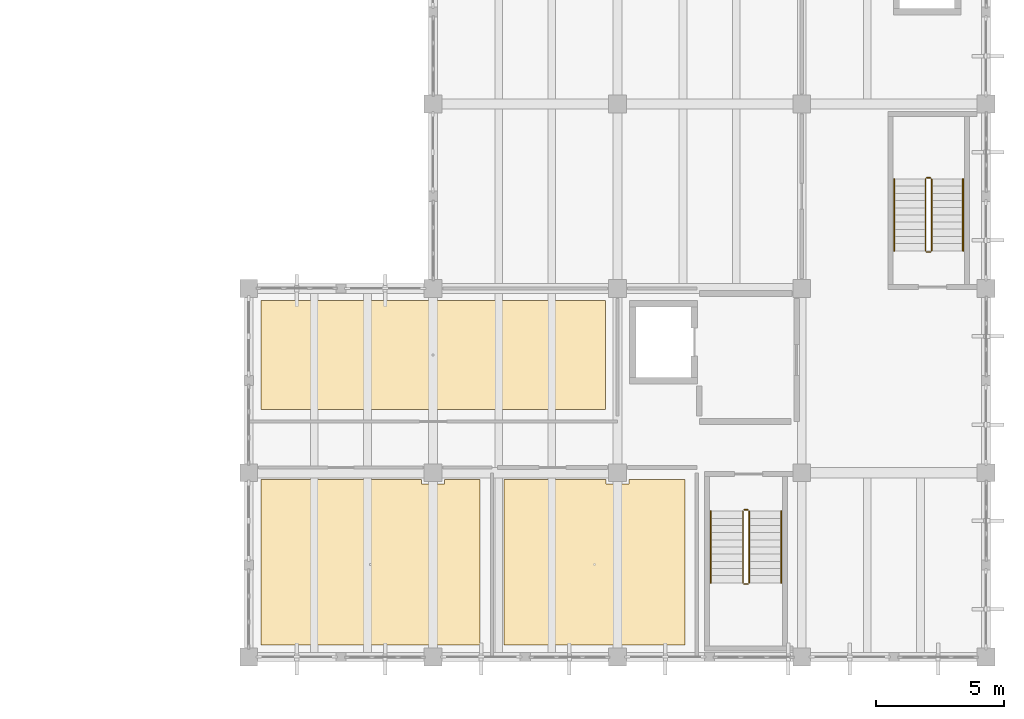
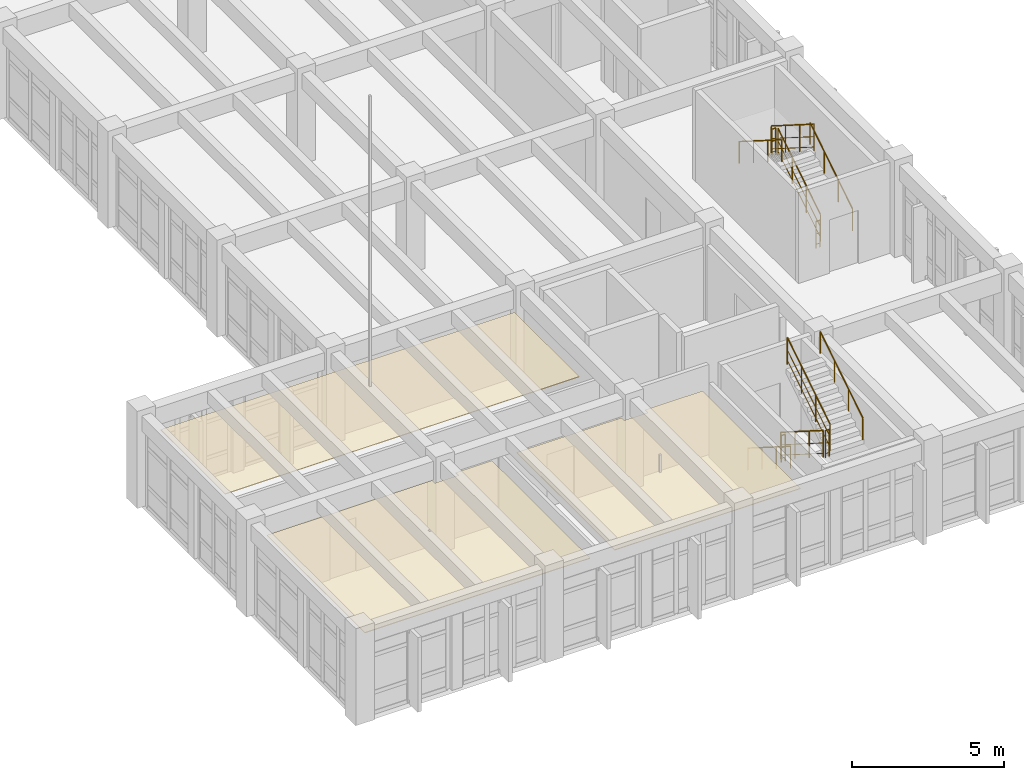
# One storey, part 53 of 54: 12 railings, 3 coverings.
"""IFC4 building model written with IfcOpenShell, lengths in metres."""

from ifc_helpers import new_model, si_unit, direction, frame, origin, origin_2d, place, context, subcontext, project, spatial, polyline, circle, outline, extrude, material, layer, layer_set, type_object, element, save


model = new_model("IFC4")

# Units and contexts
model_context = context("Model", 3, precision=1e-05, world=origin(), true_north=direction((0.0, 1.0)))
body_context = subcontext(model_context, "Body", "Model", "MODEL_VIEW")
ifc_project = project(units=[si_unit("LENGTHUNIT", "METRE"), si_unit("AREAUNIT", "SQUARE_METRE"), si_unit("VOLUMEUNIT", "CUBIC_METRE"), si_unit("PLANEANGLEUNIT", "RADIAN"), si_unit("MASSUNIT", "GRAM", prefix="KILO")], contexts=[model_context])

# Site, building, storey
site_placement = place(None, origin())
site = spatial("IfcSite", under=ifc_project, at=site_placement, CompositionType="ELEMENT")
building_placement = place(site_placement, origin())
building = spatial("IfcBuilding", under=site, at=building_placement, Name="Koriwan Promenade Central Fire Station", CompositionType="ELEMENT")
storey_placement = place(building_placement, frame((0.0, 0.0, 9.60009765625)))
storey = spatial("IfcBuildingStorey", under=building, at=storey_placement, Name="L02", CompositionType="ELEMENT", Elevation=9.60009765625)

# Coverings
ifc_material_1 = material(Name="Mineral-fibre acoustic ceiling tile on suspended grid", Category="ceiling")
ifc_layer_1 = layer(ifc_material_1, 0.02490234375, Name="Mineral-fibre acoustic ceiling tile on suspended grid")
ifc_layer_set_1 = layer_set([ifc_layer_1], Name="Mineral-fibre acoustic ceiling tile on suspended grid")
covering_type = type_object("IfcCoveringType", Name="AcousticCeiling_Tile", PredefinedType="CEILING", material=ifc_layer_set_1)
covering_1_placement = place(storey_placement, frame((0.0, 0.0, 2.93994140625)))
element("IfcCovering", 1, at=covering_1_placement, inside=storey, type_object=covering_type, Name="Operations Directorate Office suspended acoustic ceiling", PredefinedType="CEILING", context=body_context, shape_type="SweptSolid", body=[
    extrude(outline(polyline([(144.469970703125, 0.469970703125), (144.469970703125, 6.929931640625), (150.75, 6.929931640625), (150.75, 6.75), (151.64990234375, 6.75), (151.64990234375, 6.929931640625), (153.030029296875, 6.929931640625), (153.030029296875, 0.469970703125), (144.469970703125, 0.469970703125)])), origin(), (0.0, 0.0, 1.0), 0.02490234375),
])
covering_2_placement = place(storey_placement, frame((0.0, 0.0, 2.93994140625)))
element("IfcCovering", 2, at=covering_2_placement, inside=storey, type_object=covering_type, Name="Multi-Agency Coordination Briefing Room suspended acoustic ceiling", PredefinedType="CEILING", context=body_context, shape_type="SweptSolid", body=[
    extrude(outline(polyline([(158.85009765625, 6.929931640625), (161.030029296875, 6.929931640625), (161.030029296875, 0.469970703125), (153.969970703125, 0.469970703125), (153.969970703125, 6.929931640625), (157.949951171875, 6.929931640625), (157.949951171875, 6.75), (158.85009765625, 6.75), (158.85009765625, 6.929931640625)])), origin(), (0.0, 0.0, 1.0), 0.02490234375),
])
covering_3_placement = place(storey_placement, frame((0.0, 0.0, 2.93994140625)))
element("IfcCovering", 3, at=covering_3_placement, inside=storey, type_object=covering_type, Name="Disaster Simulation Studio suspended acoustic ceiling", PredefinedType="CEILING", context=body_context, shape_type="SweptSolid", body=[
    extrude(outline(polyline([(157.929931640625, 13.929931640625), (157.929931640625, 9.669921875), (144.469970703125, 9.669921875), (144.469970703125, 13.929931640625), (157.929931640625, 13.929931640625)])), origin(), (0.0, 0.0, 1.0), 0.02490234375),
])

# Railings
ifc_material_2 = material(Name="Steel ASTM A500 Grade C", Category="steel")
ifc_layer_2 = layer(ifc_material_2, 0.050048828125, Name="Steel ASTM A500 Grade C")
ifc_layer_set_2 = layer_set([ifc_layer_2], Name="Steel ASTM A500 Grade C")
railing_type_1 = type_object("IfcRailingType", Name="StairGuard_1100", PredefinedType="BALUSTRADE", material=ifc_layer_set_2)
railing_1_placement = place(storey_placement, frame((163.300048828125, 5.699951171875, 0.17724609375)))
element("IfcRailing", 4, at=railing_1_placement, inside=storey, type_object=railing_type_1, Name="L02 ST22 stair guard 1", PredefinedType="BALUSTRADE", context=body_context, shape_type="SweptSolid", body=[
    extrude(circle(Radius=0.02392578125, at=origin_2d()), frame((0.0, 0.0, 1.076171875), z_axis=(0.0, -0.844908973607, 0.534910110503), x_axis=(1.0, 0.0, 0.0)), (0.0, 0.0, 1.0), 3.31396484375),
    extrude(circle(Radius=0.012939453125, at=origin_2d()), frame((0.0, 0.0, 0.572021484375), z_axis=(0.0, -0.844908973607, 0.534910110503), x_axis=(1.0, 0.0, 0.0)), (0.0, 0.0, 1.0), 3.31396484375),
    extrude(circle(Radius=0.012939453125, at=origin_2d()), frame((0.0, 0.0, 0.154052734375), z_axis=(0.0, -0.844908973607, 0.534910110503), x_axis=(1.0, 0.0, 0.0)), (0.0, 0.0, 1.0), 3.31396484375),
    extrude(circle(Radius=0.02099609375, at=origin_2d()), origin(), (0.0, 0.0, 1.0), 1.052001953125),
    extrude(circle(Radius=0.02099609375, at=origin_2d()), frame((0.0, -0.933349609375, 0.5908203125)), (0.0, 0.0, 1.0), 1.052001953125),
    extrude(circle(Radius=0.02099609375, at=origin_2d()), frame((0.0, -1.86669921875, 1.181884765625)), (0.0, 0.0, 1.0), 1.052001953125),
    extrude(circle(Radius=0.02099609375, at=origin_2d()), frame((0.0, -2.800048828125, 1.772705078125)), (0.0, 0.0, 1.0), 1.052001953125),
])
railing_2_placement = place(storey_placement, frame((163.35009765625, 2.85009765625, 1.949951171875)))
element("IfcRailing", 5, at=railing_2_placement, inside=storey, type_object=railing_type_1, Name="L02 ST22 stair guard 2", PredefinedType="BALUSTRADE", context=body_context, shape_type="SweptSolid", body=[
    extrude(circle(Radius=0.02392578125, at=origin_2d()), frame((0.0, 0.0, 1.076171875), z_axis=(1.0, 0.0, 0.0), x_axis=(0.0, 1.0, 0.0)), (0.0, 0.0, 1.0), 0.14990234375),
    extrude(circle(Radius=0.012939453125, at=origin_2d()), frame((0.0, 0.0, 0.572021484375), z_axis=(1.0, 0.0, 0.0), x_axis=(0.0, 1.0, 0.0)), (0.0, 0.0, 1.0), 0.14990234375),
    extrude(circle(Radius=0.012939453125, at=origin_2d()), frame((0.0, 0.0, 0.154052734375), z_axis=(1.0, 0.0, 0.0), x_axis=(0.0, 1.0, 0.0)), (0.0, 0.0, 1.0), 0.14990234375),
    extrude(circle(Radius=0.02099609375, at=origin_2d()), origin(), (0.0, 0.0, 1.0), 1.052001953125),
    extrude(circle(Radius=0.02099609375, at=origin_2d()), frame((0.14990234375, 0.0, 0.0)), (0.0, 0.0, 1.0), 1.052001953125),
])
railing_3_placement = place(storey_placement, frame((163.550048828125, 2.89990234375, 2.127197265625)))
element("IfcRailing", 6, at=railing_3_placement, inside=storey, type_object=railing_type_1, Name="L02 ST22 stair guard 3", PredefinedType="BALUSTRADE", context=body_context, shape_type="SweptSolid", body=[
    extrude(circle(Radius=0.02392578125, at=origin_2d()), frame((0.0, 0.0, 1.076171875), z_axis=(0.0, 0.844908973607, 0.534910110503), x_axis=(-1.0, 0.0, 0.0)), (0.0, 0.0, 1.0), 3.31396484375),
    extrude(circle(Radius=0.012939453125, at=origin_2d()), frame((0.0, 0.0, 0.572021484375), z_axis=(0.0, 0.844908973607, 0.534910110503), x_axis=(-1.0, 0.0, 0.0)), (0.0, 0.0, 1.0), 3.31396484375),
    extrude(circle(Radius=0.012939453125, at=origin_2d()), frame((0.0, 0.0, 0.154052734375), z_axis=(0.0, 0.844908973607, 0.534910110503), x_axis=(-1.0, 0.0, 0.0)), (0.0, 0.0, 1.0), 3.31396484375),
    extrude(circle(Radius=0.02099609375, at=origin_2d()), origin(), (0.0, 0.0, 1.0), 1.052001953125),
    extrude(circle(Radius=0.02099609375, at=origin_2d()), frame((0.0, 0.933349609375, 0.5908203125)), (0.0, 0.0, 1.0), 1.052001953125),
    extrude(circle(Radius=0.02099609375, at=origin_2d()), frame((0.0, 1.86669921875, 1.181884765625)), (0.0, 0.0, 1.0), 1.052001953125),
    extrude(circle(Radius=0.02099609375, at=origin_2d()), frame((0.0, 2.800048828125, 1.772705078125)), (0.0, 0.0, 1.0), 1.052001953125),
])
railing_4_placement = place(storey_placement, frame((163.35009765625, 5.75, 0.0)))
element("IfcRailing", 7, at=railing_4_placement, inside=storey, type_object=railing_type_1, Name="L02 ST22 stair guard 4", PredefinedType="BALUSTRADE", context=body_context, shape_type="SweptSolid", body=[
    extrude(circle(Radius=0.02392578125, at=origin_2d()), frame((0.0, 0.0, 1.076171875), z_axis=(1.0, 0.0, 0.0), x_axis=(0.0, 1.0, 0.0)), (0.0, 0.0, 1.0), 0.14990234375),
    extrude(circle(Radius=0.012939453125, at=origin_2d()), frame((0.0, 0.0, 0.572021484375), z_axis=(1.0, 0.0, 0.0), x_axis=(0.0, 1.0, 0.0)), (0.0, 0.0, 1.0), 0.14990234375),
    extrude(circle(Radius=0.012939453125, at=origin_2d()), frame((0.0, 0.0, 0.154052734375), z_axis=(1.0, 0.0, 0.0), x_axis=(0.0, 1.0, 0.0)), (0.0, 0.0, 1.0), 0.14990234375),
    extrude(circle(Radius=0.02099609375, at=origin_2d()), origin(), (0.0, 0.0, 1.0), 1.052001953125),
    extrude(circle(Radius=0.02099609375, at=origin_2d()), frame((0.14990234375, 0.0, 0.0)), (0.0, 0.0, 1.0), 1.052001953125),
])
railing_5_placement = place(storey_placement, frame((170.679931640625, 15.8701171875, 0.17724609375)))
element("IfcRailing", 8, at=railing_5_placement, inside=storey, type_object=railing_type_1, Name="L02 ST27 stair guard 1", PredefinedType="BALUSTRADE", context=body_context, shape_type="SweptSolid", body=[
    extrude(circle(Radius=0.02392578125, at=origin_2d()), frame((0.0, 0.0, 1.076171875), z_axis=(0.0, 0.844887892834, 0.53494340686), x_axis=(-1.0, 0.0, 0.0)), (0.0, 0.0, 1.0), 3.313720703125),
    extrude(circle(Radius=0.012939453125, at=origin_2d()), frame((0.0, 0.0, 0.572021484375), z_axis=(0.0, 0.844887892834, 0.53494340686), x_axis=(-1.0, 0.0, 0.0)), (0.0, 0.0, 1.0), 3.313720703125),
    extrude(circle(Radius=0.012939453125, at=origin_2d()), frame((0.0, 0.0, 0.154052734375), z_axis=(0.0, 0.844887892834, 0.53494340686), x_axis=(-1.0, 0.0, 0.0)), (0.0, 0.0, 1.0), 3.313720703125),
    extrude(circle(Radius=0.02099609375, at=origin_2d()), origin(), (0.0, 0.0, 1.0), 1.052001953125),
    extrude(circle(Radius=0.02099609375, at=origin_2d()), frame((0.0, 0.933349609375, 0.5908203125)), (0.0, 0.0, 1.0), 1.052001953125),
    extrude(circle(Radius=0.02099609375, at=origin_2d()), frame((0.0, 1.866455078125, 1.181884765625)), (0.0, 0.0, 1.0), 1.052001953125),
    extrude(circle(Radius=0.02099609375, at=origin_2d()), frame((0.0, 2.7998046875, 1.772705078125)), (0.0, 0.0, 1.0), 1.052001953125),
])
railing_6_placement = place(storey_placement, frame((170.6298828125, 18.719970703125, 1.949951171875)))
element("IfcRailing", 9, at=railing_6_placement, inside=storey, type_object=railing_type_1, Name="L02 ST27 stair guard 2", PredefinedType="BALUSTRADE", context=body_context, shape_type="SweptSolid", body=[
    extrude(circle(Radius=0.02392578125, at=origin_2d()), frame((0.0, 0.0, 1.076171875), z_axis=(-1.0, 0.0, 0.0), x_axis=(0.0, -1.0, 0.0)), (0.0, 0.0, 1.0), 0.14990234375),
    extrude(circle(Radius=0.012939453125, at=origin_2d()), frame((0.0, 0.0, 0.572021484375), z_axis=(-1.0, 0.0, 0.0), x_axis=(0.0, -1.0, 0.0)), (0.0, 0.0, 1.0), 0.14990234375),
    extrude(circle(Radius=0.012939453125, at=origin_2d()), frame((0.0, 0.0, 0.154052734375), z_axis=(-1.0, 0.0, 0.0), x_axis=(0.0, -1.0, 0.0)), (0.0, 0.0, 1.0), 0.14990234375),
    extrude(circle(Radius=0.02099609375, at=origin_2d()), origin(), (0.0, 0.0, 1.0), 1.052001953125),
    extrude(circle(Radius=0.02099609375, at=origin_2d()), frame((-0.14990234375, 0.0, 0.0)), (0.0, 0.0, 1.0), 1.052001953125),
])
railing_7_placement = place(storey_placement, frame((170.429931640625, 18.669921875, 2.127197265625)))
element("IfcRailing", 10, at=railing_7_placement, inside=storey, type_object=railing_type_1, Name="L02 ST27 stair guard 3", PredefinedType="BALUSTRADE", context=body_context, shape_type="SweptSolid", body=[
    extrude(circle(Radius=0.02392578125, at=origin_2d()), frame((0.0, 0.0, 1.076171875), z_axis=(0.0, -0.844887892834, 0.53494340686), x_axis=(1.0, 0.0, 0.0)), (0.0, 0.0, 1.0), 3.313720703125),
    extrude(circle(Radius=0.012939453125, at=origin_2d()), frame((0.0, 0.0, 0.572021484375), z_axis=(0.0, -0.844887892834, 0.53494340686), x_axis=(1.0, 0.0, 0.0)), (0.0, 0.0, 1.0), 3.313720703125),
    extrude(circle(Radius=0.012939453125, at=origin_2d()), frame((0.0, 0.0, 0.154052734375), z_axis=(0.0, -0.844887892834, 0.53494340686), x_axis=(1.0, 0.0, 0.0)), (0.0, 0.0, 1.0), 3.313720703125),
    extrude(circle(Radius=0.02099609375, at=origin_2d()), origin(), (0.0, 0.0, 1.0), 1.052001953125),
    extrude(circle(Radius=0.02099609375, at=origin_2d()), frame((0.0, -0.933349609375, 0.5908203125)), (0.0, 0.0, 1.0), 1.052001953125),
    extrude(circle(Radius=0.02099609375, at=origin_2d()), frame((0.0, -1.866455078125, 1.181884765625)), (0.0, 0.0, 1.0), 1.052001953125),
    extrude(circle(Radius=0.02099609375, at=origin_2d()), frame((0.0, -2.7998046875, 1.772705078125)), (0.0, 0.0, 1.0), 1.052001953125),
])
railing_8_placement = place(storey_placement, frame((170.6298828125, 15.820068359375, 0.0)))
element("IfcRailing", 11, at=railing_8_placement, inside=storey, type_object=railing_type_1, Name="L02 ST27 stair guard 4", PredefinedType="BALUSTRADE", context=body_context, shape_type="SweptSolid", body=[
    extrude(circle(Radius=0.02392578125, at=origin_2d()), frame((0.0, 0.0, 1.076171875), z_axis=(-1.0, 0.0, 0.0), x_axis=(0.0, -1.0, 0.0)), (0.0, 0.0, 1.0), 0.14990234375),
    extrude(circle(Radius=0.012939453125, at=origin_2d()), frame((0.0, 0.0, 0.572021484375), z_axis=(-1.0, 0.0, 0.0), x_axis=(0.0, -1.0, 0.0)), (0.0, 0.0, 1.0), 0.14990234375),
    extrude(circle(Radius=0.012939453125, at=origin_2d()), frame((0.0, 0.0, 0.154052734375), z_axis=(-1.0, 0.0, 0.0), x_axis=(0.0, -1.0, 0.0)), (0.0, 0.0, 1.0), 0.14990234375),
    extrude(circle(Radius=0.02099609375, at=origin_2d()), origin(), (0.0, 0.0, 1.0), 1.052001953125),
    extrude(circle(Radius=0.02099609375, at=origin_2d()), frame((-0.14990234375, 0.0, 0.0)), (0.0, 0.0, 1.0), 1.052001953125),
])
ifc_material_3 = material(Name="Stainless steel 316 tubular handrail", Category="steel")
ifc_layer_3 = layer(ifc_material_3, 0.048095703125, Name="Stainless steel 316 tubular handrail")
ifc_layer_set_3 = layer_set([ifc_layer_3], Name="Stainless steel 316 tubular handrail")
railing_type_2 = type_object("IfcRailingType", Name="StairHandrail_900", PredefinedType="HANDRAIL", material=ifc_layer_set_3)
railing_9_placement = place(storey_placement, frame((162.050048828125, 5.699951171875, 0.17724609375)))
element("IfcRailing", 12, at=railing_9_placement, inside=storey, type_object=railing_type_2, Name="L02 ST22 stair handrail 1", PredefinedType="HANDRAIL", context=body_context, shape_type="SweptSolid", body=[
    extrude(circle(Radius=0.02392578125, at=origin_2d()), frame((0.0, 0.0, 0.8759765625), z_axis=(0.0, -0.844908973607, 0.534910110503), x_axis=(1.0, 0.0, 0.0)), (0.0, 0.0, 1.0), 3.31396484375),
    extrude(circle(Radius=0.02099609375, at=origin_2d()), origin(), (0.0, 0.0, 1.0), 0.851806640625),
    extrude(circle(Radius=0.02099609375, at=origin_2d()), frame((0.0, -0.933349609375, 0.5908203125)), (0.0, 0.0, 1.0), 0.851806640625),
    extrude(circle(Radius=0.02099609375, at=origin_2d()), frame((0.0, -1.86669921875, 1.181884765625)), (0.0, 0.0, 1.0), 0.851806640625),
    extrude(circle(Radius=0.02099609375, at=origin_2d()), frame((0.0, -2.800048828125, 1.772705078125)), (0.0, 0.0, 1.0), 0.851806640625),
])
railing_10_placement = place(storey_placement, frame((164.800048828125, 2.89990234375, 2.127197265625)))
element("IfcRailing", 13, at=railing_10_placement, inside=storey, type_object=railing_type_2, Name="L02 ST22 stair handrail 2", PredefinedType="HANDRAIL", context=body_context, shape_type="SweptSolid", body=[
    extrude(circle(Radius=0.02392578125, at=origin_2d()), frame((0.0, 0.0, 0.8759765625), z_axis=(0.0, 0.844908973607, 0.534910110503), x_axis=(-1.0, 0.0, 0.0)), (0.0, 0.0, 1.0), 3.31396484375),
    extrude(circle(Radius=0.02099609375, at=origin_2d()), origin(), (0.0, 0.0, 1.0), 0.851806640625),
    extrude(circle(Radius=0.02099609375, at=origin_2d()), frame((0.0, 0.933349609375, 0.5908203125)), (0.0, 0.0, 1.0), 0.851806640625),
    extrude(circle(Radius=0.02099609375, at=origin_2d()), frame((0.0, 1.86669921875, 1.181884765625)), (0.0, 0.0, 1.0), 0.851806640625),
    extrude(circle(Radius=0.02099609375, at=origin_2d()), frame((0.0, 2.800048828125, 1.772705078125)), (0.0, 0.0, 1.0), 0.851806640625),
])
railing_11_placement = place(storey_placement, frame((171.89990234375, 15.8701171875, 0.17724609375)))
element("IfcRailing", 14, at=railing_11_placement, inside=storey, type_object=railing_type_2, Name="L02 ST27 stair handrail 1", PredefinedType="HANDRAIL", context=body_context, shape_type="SweptSolid", body=[
    extrude(circle(Radius=0.02392578125, at=origin_2d()), frame((0.0, 0.0, 0.8759765625), z_axis=(0.0, 0.844887892834, 0.53494340686), x_axis=(-1.0, 0.0, 0.0)), (0.0, 0.0, 1.0), 3.313720703125),
    extrude(circle(Radius=0.02099609375, at=origin_2d()), origin(), (0.0, 0.0, 1.0), 0.851806640625),
    extrude(circle(Radius=0.02099609375, at=origin_2d()), frame((0.0, 0.933349609375, 0.5908203125)), (0.0, 0.0, 1.0), 0.851806640625),
    extrude(circle(Radius=0.02099609375, at=origin_2d()), frame((0.0, 1.866455078125, 1.181884765625)), (0.0, 0.0, 1.0), 0.851806640625),
    extrude(circle(Radius=0.02099609375, at=origin_2d()), frame((0.0, 2.7998046875, 1.772705078125)), (0.0, 0.0, 1.0), 0.851806640625),
])
railing_12_placement = place(storey_placement, frame((169.2099609375, 18.669921875, 2.127197265625)))
element("IfcRailing", 15, at=railing_12_placement, inside=storey, type_object=railing_type_2, Name="L02 ST27 stair handrail 2", PredefinedType="HANDRAIL", context=body_context, shape_type="SweptSolid", body=[
    extrude(circle(Radius=0.02392578125, at=origin_2d()), frame((0.0, 0.0, 0.8759765625), z_axis=(0.0, -0.844887892834, 0.53494340686), x_axis=(1.0, 0.0, 0.0)), (0.0, 0.0, 1.0), 3.313720703125),
    extrude(circle(Radius=0.02099609375, at=origin_2d()), origin(), (0.0, 0.0, 1.0), 0.851806640625),
    extrude(circle(Radius=0.02099609375, at=origin_2d()), frame((0.0, -0.933349609375, 0.5908203125)), (0.0, 0.0, 1.0), 0.851806640625),
    extrude(circle(Radius=0.02099609375, at=origin_2d()), frame((0.0, -1.866455078125, 1.181884765625)), (0.0, 0.0, 1.0), 0.851806640625),
    extrude(circle(Radius=0.02099609375, at=origin_2d()), frame((0.0, -2.7998046875, 1.772705078125)), (0.0, 0.0, 1.0), 0.851806640625),
])

save(model, "model.ifc")
